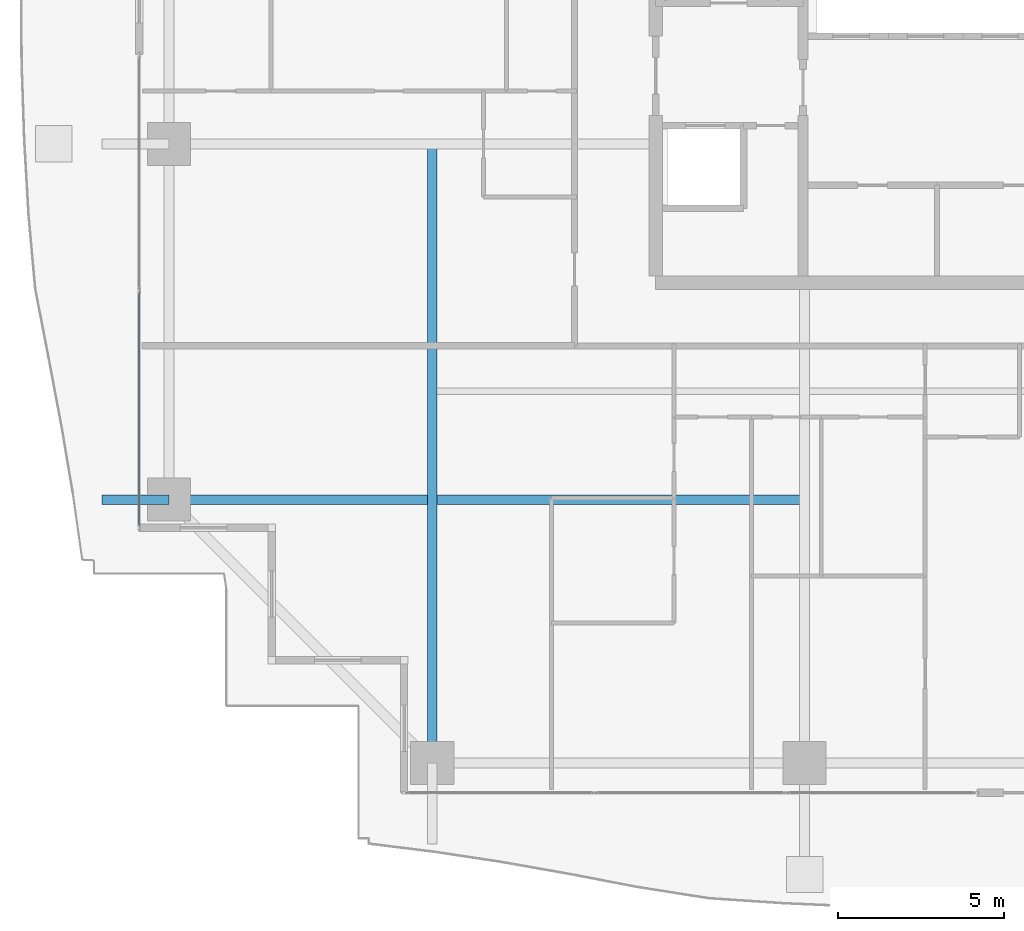
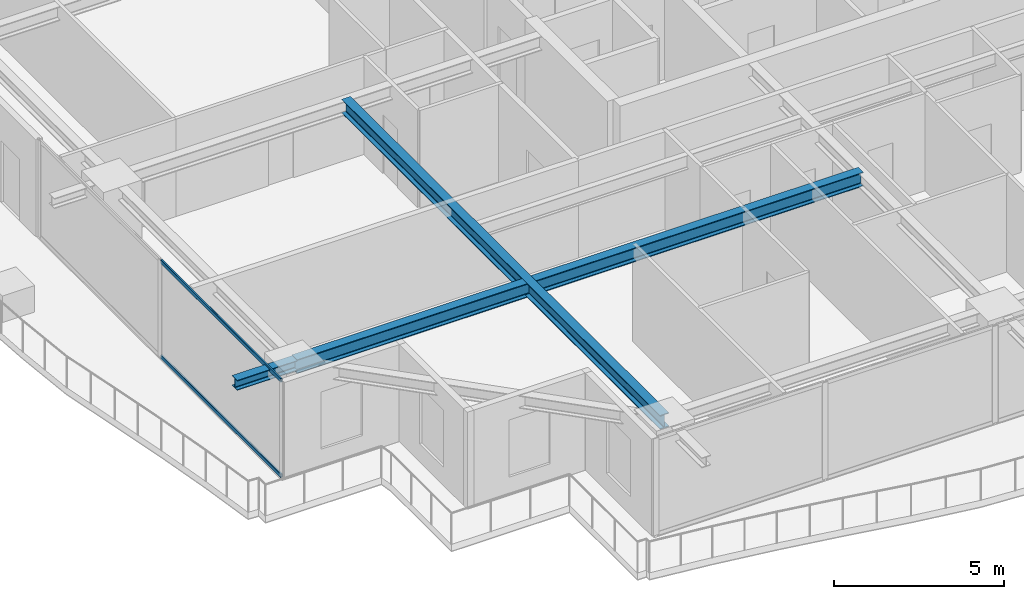
# One storey, part 3 of 34: 3 beams, 2 members, 1 element without a shape of its own.
"""IFC4 building model written with IfcOpenShell, lengths in metres."""

from ifc_helpers import new_model, si_unit, direction, frame, origin, origin_2d, place, context, subcontext, project, spatial, hollow_rectangle, i_section, extrude, source, transform, mapped, material, layer, layer_set, material_profile, profile_set, type_object, element, aggregate, save


model = new_model("IFC4")

# Units and contexts
model_context = context("Model", 3, precision=1e-05, world=origin(), true_north=direction((0.0, 1.0)))
body_context = subcontext(model_context, "Body", "Model", "MODEL_VIEW")
ifc_project = project(units=[si_unit("LENGTHUNIT", "METRE"), si_unit("AREAUNIT", "SQUARE_METRE"), si_unit("VOLUMEUNIT", "CUBIC_METRE"), si_unit("PLANEANGLEUNIT", "RADIAN"), si_unit("MASSUNIT", "GRAM", prefix="KILO")], contexts=[model_context])

# Site, building, storey
site_placement = place(None, origin())
site = spatial("IfcSite", under=ifc_project, at=site_placement, CompositionType="ELEMENT")
building_placement = place(site_placement, origin())
building = spatial("IfcBuilding", under=site, at=building_placement, Name="Serunith Strait Residences", CompositionType="ELEMENT")
storey_placement = place(building_placement, frame((0.0, 0.0, 187.64990234375)))
storey = spatial("IfcBuildingStorey", under=building, at=storey_placement, Name="L47", CompositionType="ELEMENT", Elevation=187.64990234375)

# Beams
ifc_material_1 = material(Name="Steel S355J2", Category="steel")
ifc_material_profile_1 = material_profile(ifc_material_1, i_section(OverallWidth=0.300048828125, OverallDepth=0.5, WebThickness=0.014404296875, FlangeThickness=0.028076171875, FilletRadius=0.027099609375, at=origin_2d()), Name="HEB 500")
ifc_profile_set_1 = profile_set([ifc_material_profile_1], Name="Steel S355J2")
beam_type_1 = type_object("IfcBeamType", Name="BM-HEB500", PredefinedType="BEAM", material=ifc_profile_set_1)
shared_shape_1 = source(origin(), body_context, "Body", "SweptSolid", [
    extrude(i_section(OverallWidth=0.300048828125, OverallDepth=0.5, WebThickness=0.014404296875, FlangeThickness=0.028076171875, FilletRadius=0.027099609375, at=origin_2d()), origin(), (0.0, 0.0, 1.0), 18.699951171875),
])
beam_1_placement = place(storey_placement, frame((16.64990234375, 21.0, 3.237060546875), z_axis=(0.0, -1.0, 0.0), x_axis=(1.0, 0.0, 0.0)))
element("IfcBeam", 1, at=beam_1_placement, inside=storey, type_object=beam_type_1, Name="L47 Orthogonal Corner Girder TC-S1", PredefinedType="BEAM", context=body_context, shape_type="MappedRepresentation", body=[
    mapped(shared_shape_1, transform((0.0, 0.0, 0.0), scale=1.0)),
])
shared_shape_2 = source(origin(), body_context, "Body", "SweptSolid", [
    extrude(i_section(OverallWidth=0.300048828125, OverallDepth=0.5, WebThickness=0.014404296875, FlangeThickness=0.028076171875, FilletRadius=0.027099609375, at=origin_2d()), origin(), (0.0, 0.0, 1.0), 19.199951171875),
])
beam_2_placement = place(storey_placement, frame((27.89990234375, 10.25, 3.237060546875), z_axis=(-1.0, 0.0, 0.0), x_axis=(0.0, -1.0, 0.0)))
element("IfcBeam", 2, at=beam_2_placement, inside=storey, type_object=beam_type_1, Name="L47 Orthogonal Corner Girder TC-W1", PredefinedType="BEAM", context=body_context, shape_type="MappedRepresentation", body=[
    mapped(shared_shape_2, transform((0.0, 0.0, 0.0), scale=1.0)),
])
ifc_material_profile_2 = material_profile(ifc_material_1, i_section(OverallWidth=0.300048828125, OverallDepth=0.360107421875, WebThickness=0.012451171875, FlangeThickness=0.0224609375, FilletRadius=0.027099609375, at=origin_2d()), Name="HEB 360")
ifc_profile_set_2 = profile_set([ifc_material_profile_2], Name="Steel S355J2")
beam_type_2 = type_object("IfcBeamType", Name="BM-HEB360", PredefinedType="BEAM", material=ifc_profile_set_2)
shared_shape_3 = source(origin(), body_context, "Body", "SweptSolid", [
    extrude(i_section(OverallWidth=0.300048828125, OverallDepth=0.360107421875, WebThickness=0.012451171875, FlangeThickness=0.0224609375, FilletRadius=0.027099609375, at=origin_2d()), origin(), (0.0, 0.0, 1.0), 2.030029296875),
])
beam_3_placement = place(storey_placement, frame((8.699951171875, 10.25, 3.277099609375), z_axis=(-1.0, 0.0, 0.0), x_axis=(0.0, -1.0, 0.0)))
element("IfcBeam", 3, at=beam_3_placement, inside=storey, type_object=beam_type_2, Name="L48 Cantilevered Balcony Rib TC-W1", PredefinedType="BEAM", context=body_context, shape_type="MappedRepresentation", body=[
    mapped(shared_shape_3, transform((0.0, 0.0, 0.0), scale=1.0)),
])

# Curtain wall, members
ifc_material_2 = material(Name="Pale-Champagne Anodised Aluminium", Category="aluminium")
ifc_layer = layer(ifc_material_2, 0.199951171875, Name="Pale-Champagne Anodised Aluminium")
ifc_layer_set = layer_set([ifc_layer], Name="Pale-Champagne Anodised Aluminium")
curtain_wall_type = type_object("IfcCurtainWallType", Name="CW-SYS2", PredefinedType="NOTDEFINED", material=ifc_layer_set)
curtain_wall_placement = place(storey_placement, origin())
curtain_wall = element("IfcCurtainWall", 4, at=curtain_wall_placement, inside=storey, type_object=curtain_wall_type, Name="L47 W Unitised Fritted Curtain Wall", PredefinedType="NOTDEFINED")
ifc_material_profile_3 = material_profile(ifc_material_2, hollow_rectangle(XDim=0.06005859375, YDim=0.139892578125, WallThickness=0.00341796875, InnerFilletRadius=0.00537109375, OuterFilletRadius=0.0087890625, at=origin_2d()), Name="ALU 140x60x3.5")
ifc_profile_set_3 = profile_set([ifc_material_profile_3], Name="Pale-Champagne Anodised Aluminium")
member_type = type_object("IfcMemberType", Name="CW-SYS2-TRAN", PredefinedType="USERDEFINED", material=ifc_profile_set_3)
shared_shape_4 = source(origin(), body_context, "Body", "SweptSolid", [
    extrude(hollow_rectangle(XDim=0.06005859375, YDim=0.139892578125, WallThickness=0.00341796875, InnerFilletRadius=0.00537109375, OuterFilletRadius=0.0087890625, at=origin_2d()), origin(), (0.0, 0.0, 1.0), 7.044921875),
])
member_1_placement = place(storey_placement, frame((7.800048828125, 16.514892578125, 0.030029296875), z_axis=(0.0, -1.0, 0.0), x_axis=(1.0, 0.0, 0.0)))
member_1 = element("IfcMember", 5, at=member_1_placement, type_object=member_type, Name="CW-2 transom 2.1", ObjectType="TRANSOM", PredefinedType="USERDEFINED", context=body_context, shape_type="MappedRepresentation", body=[
    mapped(shared_shape_4, transform((0.0, 0.0, 0.0), scale=1.0)),
])
member_2_placement = place(storey_placement, frame((7.800048828125, 16.514892578125, 3.445068359375), z_axis=(0.0, -1.0, 0.0), x_axis=(1.0, 0.0, 0.0)))
member_2 = element("IfcMember", 6, at=member_2_placement, type_object=member_type, Name="CW-2 transom 2.2", ObjectType="TRANSOM", PredefinedType="USERDEFINED", context=body_context, shape_type="MappedRepresentation", body=[
    mapped(shared_shape_4, transform((0.0, 0.0, 0.0), scale=1.0)),
])
aggregate(curtain_wall, [member_1, member_2])

save(model, "model.ifc")
